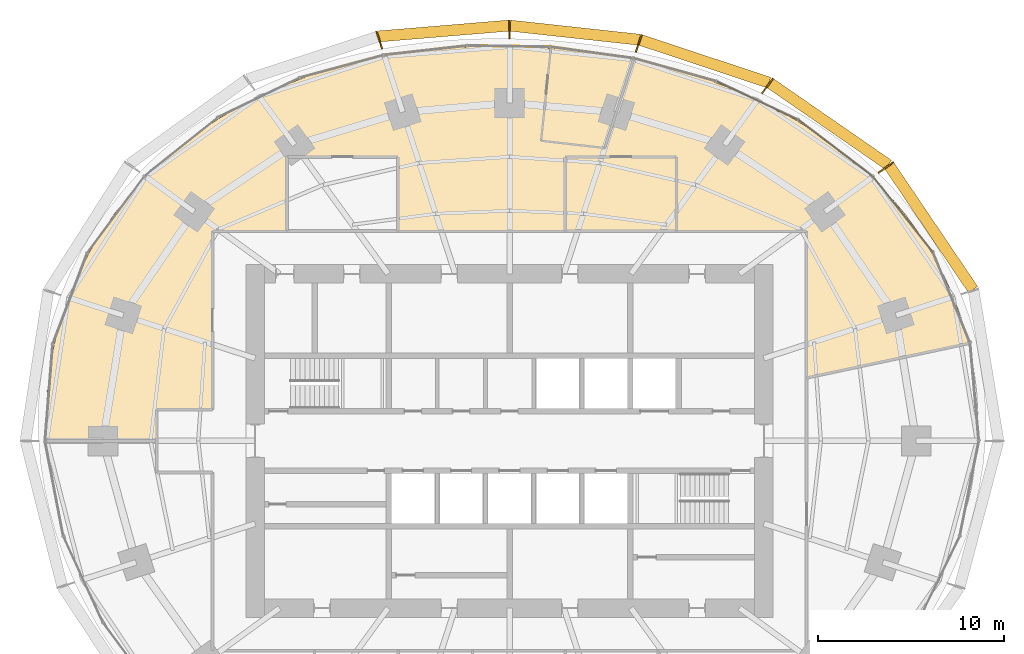
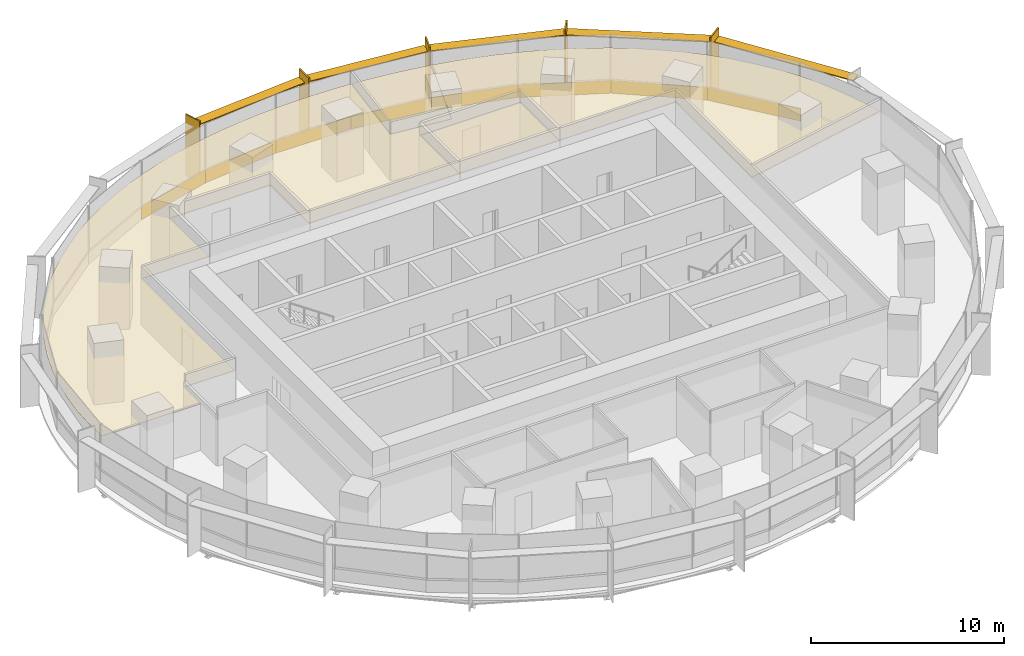
# One storey, part 14 of 14: 11 coverings, 10 shading devices.
"""IFC4 building model written with IfcOpenShell, lengths in metres."""

from ifc_helpers import new_model, si_unit, direction, frame, origin, origin_2d, place, context, subcontext, project, spatial, polyline, rectangle, outline, extrude, material, layer, layer_set, type_object, element, save


model = new_model("IFC4")

# Units and contexts
model_context = context("Model", 3, precision=1e-05, world=origin(), true_north=direction((0.0, 1.0)))
body_context = subcontext(model_context, "Body", "Model", "MODEL_VIEW")
ifc_project = project(units=[si_unit("LENGTHUNIT", "METRE"), si_unit("AREAUNIT", "SQUARE_METRE"), si_unit("VOLUMEUNIT", "CUBIC_METRE"), si_unit("PLANEANGLEUNIT", "RADIAN"), si_unit("MASSUNIT", "GRAM", prefix="KILO")], contexts=[model_context])

# Site, building, storey
site_placement = place(None, origin())
site = spatial("IfcSite", under=ifc_project, at=site_placement, CompositionType="ELEMENT")
building_placement = place(site_placement, origin())
building = spatial("IfcBuilding", under=site, at=building_placement, Name="Marramba Exchange Tower", CompositionType="ELEMENT")
storey_placement = place(building_placement, frame((0.0, 0.0, 108.0)))
storey = spatial("IfcBuildingStorey", under=building, at=storey_placement, Name="L25", CompositionType="ELEMENT", Elevation=108.0)

# Shading devices
ifc_material_1 = material(Name="Aluminium blade, timber-look bronze finish", Category="wood")
ifc_layer_1 = layer(ifc_material_1, 0.080078125)
ifc_layer_set_1 = layer_set([ifc_layer_1], Name="Floor-edge blade 1000x80")
shading_device_type_1 = type_object("IfcShadingDeviceType", Name="Floor-edge blade 1000x80", PredefinedType="USERDEFINED", material=ifc_layer_set_1)
for number, where, z_axis, x_axis, name in (
    (1, (20.27392578125, 14.72998046875, -0.159912109375), (0.0, 0.0, 1.0), (0.809016994375, 0.587785252292, 0.0), "Floor-edge blade FB1 L25 TC03"),
    (2, (13.8955078125, 19.12548828125, -0.159912109375), (0.0, 0.0, 1.0), (0.587785252292, 0.809016994375, 0.0), "Floor-edge blade FB1 L25 TC04"),
    (3, (6.958984375, 21.41748046875, -0.159912109375), (0.0, 0.0, 1.0), (0.309016994375, 0.951056516295, 0.0), "Floor-edge blade FB1 L25 TC05"),
    (4, (0.0, 22.173095703125, -0.159912109375), (0.0, 0.0, 1.0), (0.0, 1.0, 0.0), "Floor-edge blade FB1 L25 TC06"),
    (5, (-7.016845703125, 21.595703125, -0.159912109375), (0.0, 0.0, 1.0), (-0.309016994375, 0.951056516295, 0.0), "Floor-edge blade FB1 L25 TC07"),
):
    element("IfcShadingDevice", number, at=place(storey_placement, frame(where, z_axis=z_axis, x_axis=x_axis)), inside=storey, type_object=shading_device_type_1, Name=name, ObjectType="FIN", PredefinedType="USERDEFINED", context=body_context, shape_type="SweptSolid", body=[
        extrude(rectangle(XDim=1.0, YDim=0.080078125, at=origin_2d()), origin(), (0.0, 0.0, 1.0), 3.89990234375),
    ])
ifc_material_2 = material(Name="Aluminium sunshade, bronze anodised", Category="aluminium")
ifc_layer_2 = layer(ifc_material_2, 0.06005859375)
ifc_layer_set_2 = layer_set([ifc_layer_2], Name="SUNSHADE blade 600x60")
shading_device_type_2 = type_object("IfcShadingDeviceType", Name="SUNSHADE blade 600x60", PredefinedType="USERDEFINED", material=ifc_layer_set_2)
shading_device_1_placement = place(storey_placement, frame((22.712158203125, 11.4833984375, 3.159912109375), z_axis=(0.0, 0.0, 1.0), x_axis=(-0.560441804861, 0.828193807852, 0.0)))
element("IfcShadingDevice", 6, at=shading_device_1_placement, inside=storey, type_object=shading_device_type_2, Name="Sunshade SS1 L25 bay 02", ObjectType="SUNSHADE", PredefinedType="USERDEFINED", context=body_context, shape_type="SweptSolid", body=[
    extrude(rectangle(XDim=8.0439453125, YDim=0.60009765625, at=origin_2d()), origin(), (0.0, 0.0, 1.0), 0.06005859375),
])
shading_device_2_placement = place(storey_placement, frame((17.224365234375, 17.0673828125, 3.159912109375), z_axis=(0.0, 0.0, 1.0), x_axis=(-0.822589509071, 0.568635647464, 0.0)))
element("IfcShadingDevice", 7, at=shading_device_2_placement, inside=storey, type_object=shading_device_type_2, Name="Sunshade SS1 L25 bay 03", ObjectType="SUNSHADE", PredefinedType="USERDEFINED", context=body_context, shape_type="SweptSolid", body=[
    extrude(rectangle(XDim=7.72802734375, YDim=0.60009765625, at=origin_2d()), origin(), (0.0, 0.0, 1.0), 0.06005859375),
])
shading_device_3_placement = place(storey_placement, frame((10.516845703125, 20.447509765625, 3.159912109375), z_axis=(0.0, 0.0, 1.0), x_axis=(-0.949101076178, 0.314971660944, 0.0)))
element("IfcShadingDevice", 8, at=shading_device_3_placement, inside=storey, type_object=shading_device_type_2, Name="Sunshade SS1 L25 bay 04", ObjectType="SUNSHADE", PredefinedType="USERDEFINED", context=body_context, shape_type="SweptSolid", body=[
    extrude(rectangle(XDim=7.287353515625, YDim=0.60009765625, at=origin_2d()), origin(), (0.0, 0.0, 1.0), 0.06005859375),
])
shading_device_4_placement = place(storey_placement, frame((3.510498046875, 21.990478515625, 3.159912109375), z_axis=(0.0, 0.0, 1.0), x_axis=(-0.994111392801, 0.108362995081, 0.0)))
element("IfcShadingDevice", 9, at=shading_device_4_placement, inside=storey, type_object=shading_device_type_2, Name="Sunshade SS1 L25 bay 05", ObjectType="SUNSHADE", PredefinedType="USERDEFINED", context=body_context, shape_type="SweptSolid", body=[
    extrude(rectangle(XDim=6.982421875, YDim=0.60009765625, at=origin_2d()), origin(), (0.0, 0.0, 1.0), 0.06005859375),
])
shading_device_5_placement = place(storey_placement, frame((-3.539306640625, 22.07958984375, 3.159912109375), z_axis=(0.0, 0.0, 1.0), x_axis=(-0.996577838412, -0.08265961521, 0.0)))
element("IfcShadingDevice", 10, at=shading_device_5_placement, inside=storey, type_object=shading_device_type_2, Name="Sunshade SS1 L25 bay 06", ObjectType="SUNSHADE", PredefinedType="USERDEFINED", context=body_context, shape_type="SweptSolid", body=[
    extrude(rectangle(XDim=7.02294921875, YDim=0.60009765625, at=origin_2d()), origin(), (0.0, 0.0, 1.0), 0.06005859375),
])

# Coverings
ifc_material_3 = material(Name="Aluminium spandrel panel, bronze anodised, insulated", Category="aluminium")
ifc_layer_3 = layer(ifc_material_3, 0.050048828125)
ifc_layer_set_3 = layer_set([ifc_layer_3], Name="Spandrel panel 800")
covering_type_1 = type_object("IfcCoveringType", Name="Spandrel panel 800", PredefinedType="CLADDING", material=ifc_layer_set_3)
covering_1_placement = place(storey_placement, frame((21.20068359375, 12.194091796875, 0.0), z_axis=(0.0, 0.0, 1.0), x_axis=(-0.621311998758, 0.783563271344, 0.0)))
element("IfcCovering", 11, at=covering_1_placement, inside=storey, type_object=covering_type_1, Name="Spandrel panel SP1 L25 F03", PredefinedType="CLADDING", context=body_context, shape_type="SweptSolid", body=[
    extrude(rectangle(XDim=5.197021484375, YDim=0.050048828125, at=origin_2d()), origin(), (0.0, 0.0, 1.0), 0.800048828125),
])
covering_2_placement = place(storey_placement, frame((17.576171875, 15.759033203125, 0.0), z_axis=(0.0, 0.0, 1.0), x_axis=(-0.795971745176, 0.605333776426, 0.0)))
element("IfcCovering", 12, at=covering_2_placement, inside=storey, type_object=covering_type_1, Name="Spandrel panel SP1 L25 F04", PredefinedType="CLADDING", context=body_context, shape_type="SweptSolid", body=[
    extrude(rectangle(XDim=5.05078125, YDim=0.050048828125, at=origin_2d()), origin(), (0.0, 0.0, 1.0), 0.800048828125),
])
covering_3_placement = place(storey_placement, frame((13.371337890625, 18.322998046875, 0.0), z_axis=(0.0, 0.0, 1.0), x_axis=(-0.904403135206, 0.426678999987, 0.0)))
element("IfcCovering", 13, at=covering_3_placement, inside=storey, type_object=covering_type_1, Name="Spandrel panel SP1 L25 F05", PredefinedType="CLADDING", context=body_context, shape_type="SweptSolid", body=[
    extrude(rectangle(XDim=4.853271484375, YDim=0.050048828125, at=origin_2d()), origin(), (0.0, 0.0, 1.0), 0.800048828125),
])
covering_4_placement = place(storey_placement, frame((8.9365234375, 19.98388671875, 0.0), z_axis=(0.0, 0.0, 1.0), x_axis=(-0.963177847397, 0.268865085655, 0.0)))
element("IfcCovering", 14, at=covering_4_placement, inside=storey, type_object=covering_type_1, Name="Spandrel panel SP1 L25 F06", PredefinedType="CLADDING", context=body_context, shape_type="SweptSolid", body=[
    extrude(rectangle(XDim=4.651611328125, YDim=0.050048828125, at=origin_2d()), origin(), (0.0, 0.0, 1.0), 0.800048828125),
])
covering_5_placement = place(storey_placement, frame((4.46337890625, 20.915283203125, 0.0), z_axis=(0.0, 0.0, 1.0), x_axis=(-0.990738214019, 0.135785828725, 0.0)))
element("IfcCovering", 15, at=covering_5_placement, inside=storey, type_object=covering_type_1, Name="Spandrel panel SP1 L25 F07", PredefinedType="CLADDING", context=body_context, shape_type="SweptSolid", body=[
    extrude(rectangle(XDim=4.507568359375, YDim=0.050048828125, at=origin_2d()), origin(), (0.0, 0.0, 1.0), 0.800048828125),
])
covering_6_placement = place(storey_placement, frame((-0.003662109375, 21.25634765625, 0.0), z_axis=(0.0, 0.0, 1.0), x_axis=(-0.999875870008, 0.015755779107, 0.0)))
element("IfcCovering", 16, at=covering_6_placement, inside=storey, type_object=covering_type_1, Name="Spandrel panel SP1 L25 F08", PredefinedType="CLADDING", context=body_context, shape_type="SweptSolid", body=[
    extrude(rectangle(XDim=4.46875, YDim=0.050048828125, at=origin_2d()), origin(), (0.0, 0.0, 1.0), 0.800048828125),
])
covering_7_placement = place(storey_placement, frame((-4.49609375, 21.03955078125, 0.0), z_axis=(0.0, 0.0, 1.0), x_axis=(-0.993823395975, -0.110973229261, 0.0)))
element("IfcCovering", 17, at=covering_7_placement, inside=storey, type_object=covering_type_1, Name="Spandrel panel SP1 L25 F09", PredefinedType="CLADDING", context=body_context, shape_type="SweptSolid", body=[
    extrude(rectangle(XDim=4.54443359375, YDim=0.050048828125, at=origin_2d()), origin(), (0.0, 0.0, 1.0), 0.800048828125),
])
covering_8_placement = place(storey_placement, frame((-9.0244140625, 20.17529296875, 0.0), z_axis=(0.0, 0.0, 1.0), x_axis=(-0.965522049344, -0.26032128655, 0.0)))
element("IfcCovering", 18, at=covering_8_placement, inside=storey, type_object=covering_type_1, Name="Spandrel panel SP1 L25 F10", PredefinedType="CLADDING", context=body_context, shape_type="SweptSolid", body=[
    extrude(rectangle(XDim=4.70263671875, YDim=0.050048828125, at=origin_2d()), origin(), (0.0, 0.0, 1.0), 0.800048828125),
])
ifc_material_4 = material(Name="Mineral fibre ceiling tiles", Category="gypsum")
ifc_layer_4 = layer(ifc_material_4, 0.02001953125)
ifc_layer_set_4 = layer_set([ifc_layer_4], Name="Suspended ceiling 20")
covering_type_2 = type_object("IfcCoveringType", Name="Suspended ceiling 20", PredefinedType="CEILING", material=ifc_layer_set_4)
covering_9_placement = place(storey_placement, frame((0.0, 0.0, 2.89990234375)))
element("IfcCovering", 19, at=covering_9_placement, inside=storey, type_object=covering_type_2, Name="Ceiling CL1 L25 Open Plan Office 2", PredefinedType="CEILING", context=body_context, shape_type="SweptSolid", body=[
    extrude(outline(polyline([(9.0, 11.300048828125), (9.0, 15.300048828125), (3.0, 15.300048828125), (3.0, 11.300048828125), (-6.0, 11.300048828125), (-6.0, 15.300048828125), (-12.0, 15.300048828125), (-12.0, 11.300048828125), (-16.0, 11.300048828125), (-16.0, 1.699951171875), (-19.0, 1.699951171875), (-19.0, 0.0), (-24.93798828125, 0.0), (-24.970947265625, 1.30859375), (-24.913330078125, 2.618408203125), (-24.76416015625, 3.92236328125), (-24.52294921875, 5.21240234375), (-24.1904296875, 6.481689453125), (-23.768798828125, 7.722900390625), (-23.260498046875, 8.928955078125), (-22.669677734375, 10.09326171875), (-22.0009765625, 11.2099609375), (-21.259765625, 12.2744140625), (-20.451904296875, 13.28173828125), (-19.583984375, 14.228759765625), (-18.66259765625, 15.11279296875), (-17.6943359375, 15.93212890625), (-16.685791015625, 16.685791015625), (-15.643798828125, 17.374267578125), (-14.57421875, 17.99755859375), (-13.482666015625, 18.55712890625), (-12.37451171875, 19.05517578125), (-11.2548828125, 19.493896484375), (-10.127197265625, 19.875732421875), (-8.995361328125, 20.203857421875), (-7.862060546875, 20.4814453125), (-6.7294921875, 20.711181640625), (-5.59912109375, 20.896484375), (-4.47216796875, 21.0400390625), (-3.34912109375, 21.14453125), (-2.2294921875, 21.212158203125), (-1.11328125, 21.244384765625), (0.0, 21.2431640625), (1.111572265625, 21.208740234375), (2.22216796875, 21.1416015625), (1.699462890625, 16.169189453125), (5.12646484375, 15.77783203125), (6.671630859375, 20.533203125), (7.787841796875, 20.287841796875), (8.905029296875, 20.0009765625), (10.02197265625, 19.6689453125), (11.13671875, 19.289306640625), (12.24658203125, 18.8583984375), (13.348876953125, 18.373046875), (14.43896484375, 17.830810546875), (15.512451171875, 17.228271484375), (16.563720703125, 16.563720703125), (17.5869140625, 15.835205078125), (18.5751953125, 15.041748046875), (19.521484375, 14.18310546875), (20.4189453125, 13.26025390625), (21.259765625, 12.2744140625), (22.03662109375, 11.228271484375), (22.7421875, 10.12548828125), (23.3701171875, 8.970947265625), (23.9140625, 7.77001953125), (24.368896484375, 6.529541015625), (24.73046875, 5.256591796875), (16.0, 3.40087890625), (16.0, 11.300048828125), (9.0, 11.300048828125)])), origin(), (0.0, 0.0, 1.0), 0.02001953125),
])
covering_10_placement = place(storey_placement, frame((0.0, 0.0, 2.89990234375)))
element("IfcCovering", 20, at=covering_10_placement, inside=storey, type_object=covering_type_2, Name="Ceiling CL1 L25 Office 3", PredefinedType="CEILING", context=body_context, shape_type="SweptSolid", body=[
    extrude(outline(polyline([(3.332763671875, 21.041748046875), (4.444091796875, 20.907958984375), (5.556884765625, 20.739013671875), (6.671630859375, 20.533203125), (5.12646484375, 15.77783203125), (1.699462890625, 16.169189453125), (2.22216796875, 21.1416015625), (3.332763671875, 21.041748046875)])), origin(), (0.0, 0.0, 1.0), 0.02001953125),
])
covering_11_placement = place(storey_placement, frame((0.0, 0.0, 2.89990234375)))
element("IfcCovering", 21, at=covering_11_placement, inside=storey, type_object=covering_type_2, Name="Ceiling CL1 L25 Meeting Room 1", PredefinedType="CEILING", context=body_context, shape_type="SweptSolid", body=[
    extrude(outline(polyline([(9.0, 11.300048828125), (3.0, 11.300048828125), (3.0, 15.300048828125), (9.0, 15.300048828125), (9.0, 11.300048828125)])), origin(), (0.0, 0.0, 1.0), 0.02001953125),
])

save(model, "model.ifc")
